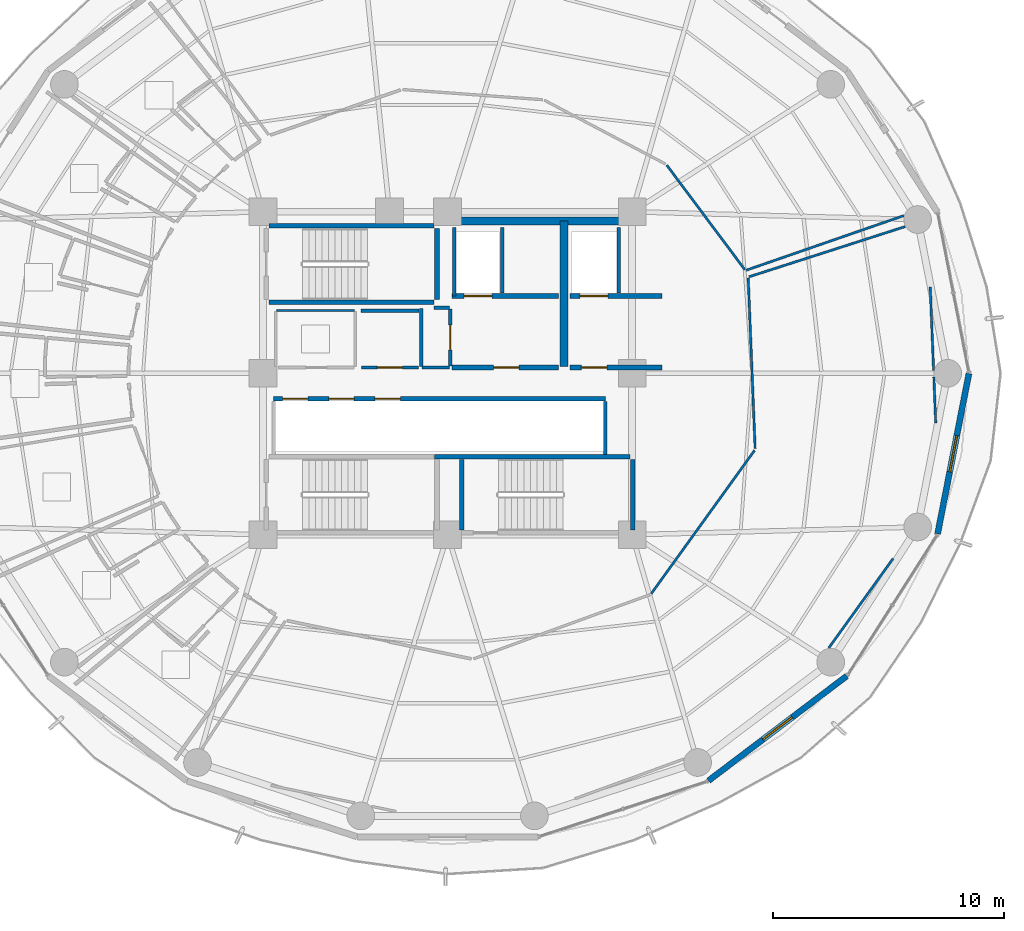
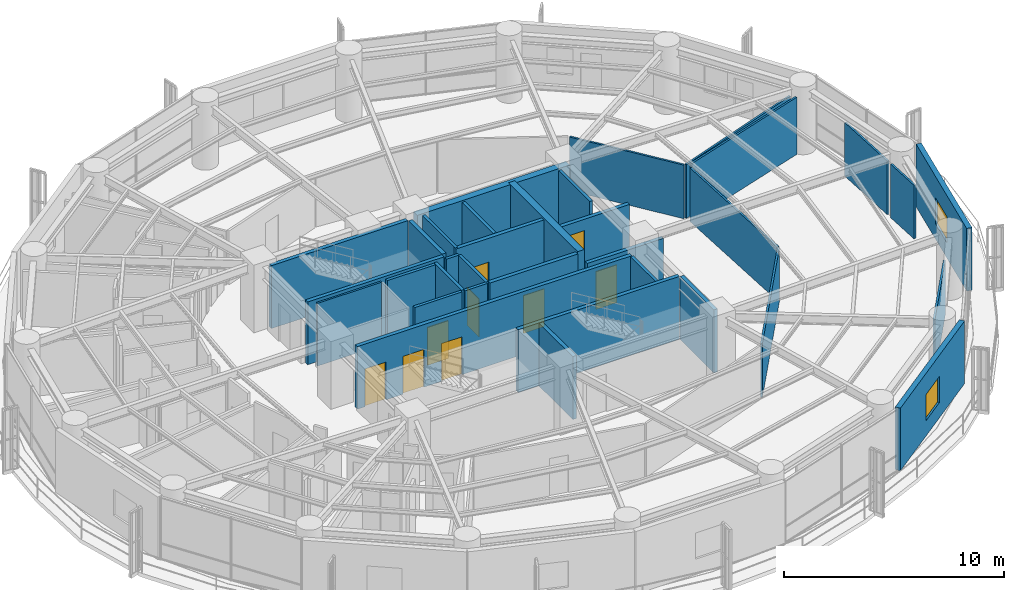
# One storey, part 23 of 28: 34 walls, 9 doors, 2 windows, 11 openings.
"""IFC4 building model written with IfcOpenShell, lengths in metres."""

from ifc_helpers import new_model, si_unit, direction, frame, frame_2d, origin, place, context, subcontext, project, spatial, rectangle, extrude, material, layer, layer_set, type_object, element, fill, save


model = new_model("IFC4")

# Units and contexts
model_context = context("Model", 3, precision=1e-05, world=origin(), true_north=direction((0.0, 1.0)))
body_context = subcontext(model_context, "Body", "Model", "MODEL_VIEW")
ifc_project = project(units=[si_unit("LENGTHUNIT", "METRE"), si_unit("AREAUNIT", "SQUARE_METRE"), si_unit("VOLUMEUNIT", "CUBIC_METRE"), si_unit("PLANEANGLEUNIT", "RADIAN"), si_unit("MASSUNIT", "GRAM", prefix="KILO")], contexts=[model_context])

# Site, building, storey
site_placement = place(None, origin())
site = spatial("IfcSite", under=ifc_project, at=site_placement, CompositionType="ELEMENT")
building_placement = place(site_placement, origin())
building = spatial("IfcBuilding", under=site, at=building_placement, Name="Kelanora Arch Commons", CompositionType="ELEMENT")
storey_placement = place(building_placement, frame((0.0, 0.0, 176.85009765625)))
storey = spatial("IfcBuildingStorey", under=building, at=storey_placement, Name="L45", CompositionType="ELEMENT", Elevation=176.85009765625)

# Walls
ifc_material_1 = material(Name="Autoclaved aerated concrete blockwork with fire plaster", Category="masonry")
ifc_layer_1 = layer(ifc_material_1, 0.14990234375)
ifc_layer_set_1 = layer_set([ifc_layer_1], Name="Autoclaved aerated concrete blockwork with fire plaster")
wall_type_1 = type_object("IfcWallType", Name="W-COMP-150", PredefinedType="PARTITIONING", material=ifc_layer_set_1)
wall_1_placement = place(storey_placement, frame((74.280029296875, 61.35009765625, 0.0), z_axis=(0.0, 0.0, 1.0), x_axis=(0.0, 1.0, 0.0)))
element("IfcWall", 1, at=wall_1_placement, inside=storey, type_object=wall_type_1, Name="Firefighting Lift 1 West Shaft Wall L45", PredefinedType="PARTITIONING", context=body_context, shape_type="SweptSolid", body=[
    extrude(rectangle(XDim=2.969970703125, YDim=0.14990234375, at=frame_2d((1.48486328125, 0.0))), origin(), (0.0, 0.0, 1.0), 3.47998046875),
])
for number, where, z_axis, x_axis, name in (
    (2, (76.360107421875, 61.47998046875, 0.0), (0.0, 0.0, 1.0), (0.0, 1.0, 0.0), "Firefighting Lift 1 East Shaft Wall L45"),
    (3, (81.419921875, 61.47998046875, 0.0), (0.0, 0.0, 1.0), (0.0, 1.0, 0.0), "Firefighting Lift 2 East Shaft Wall L45"),
):
    element("IfcWall", number, at=place(storey_placement, frame(where, z_axis=z_axis, x_axis=x_axis)), inside=storey, type_object=wall_type_1, Name=name, PredefinedType="PARTITIONING", context=body_context, shape_type="SweptSolid", body=[
        extrude(rectangle(XDim=2.840087890625, YDim=0.14990234375, at=frame_2d((1.419921875, 0.0))), origin(), (0.0, 0.0, 1.0), 3.47998046875),
    ])
wall_2_placement = place(storey_placement, frame((80.840087890625, 54.47998046875, 0.0), z_axis=(0.0, 0.0, 1.0), x_axis=(0.0, 1.0, 0.0)))
element("IfcWall", 4, at=wall_2_placement, inside=storey, type_object=wall_type_1, Name="South Lift Bank East Wall L45", PredefinedType="PARTITIONING", context=body_context, shape_type="SweptSolid", body=[
    extrude(rectangle(XDim=2.2900390625, YDim=0.14990234375, at=frame_2d((1.14501953125, 0.0))), origin(), (0.0, 0.0, 1.0), 3.47998046875),
])

# Wall, opening, door
wall_3_placement = place(storey_placement, frame((74.1201171875, 58.31005859375, 0.0), z_axis=(0.0, 0.0, 1.0), x_axis=(0.0, 1.0, 0.0)))
wall_3 = element("IfcWall", 5, at=wall_3_placement, inside=storey, type_object=wall_type_1, Name="Core Linen Supply Store L45 Entry Partition", PredefinedType="PARTITIONING", context=body_context, shape_type="SweptSolid", body=[
    extrude(rectangle(XDim=2.47998046875, YDim=0.14990234375, at=frame_2d((1.239990234375, 0.0))), origin(), (0.0, 0.0, 1.0), 3.47998046875),
])
opening_1_placement = place(wall_3_placement, frame((0.699951171875, 0.0, 0.0)))
opening_1 = element("IfcOpeningElement", 6, at=opening_1_placement, cuts=wall_3, Name="Opening D-PLT1", PredefinedType="OPENING", context=body_context, shape_type="SweptSolid", body=[
    extrude(rectangle(XDim=1.080078125, YDim=2.10009765625, at=frame_2d((0.5400390625, 1.050048828125))), frame((0.0, 0.0849609375, 0.0), z_axis=(0.0, -1.0, 0.0), x_axis=(1.0, 0.0, 0.0)), (0.0, 0.0, 1.0), 0.169921875),
])
ifc_material_2 = material(Name="Galvanised steel plant and riser fire door", Category="steel")
door_type_1 = type_object("IfcDoorType", Name="D-PLT-110", OperationType="NOTDEFINED", PredefinedType="DOOR", material=ifc_material_2)
door_1_placement = place(opening_1_placement, origin())
door_1 = element("IfcDoor", 7, at=door_1_placement, inside=storey, type_object=door_type_1, Name="Core Linen Supply Store L45 Door", OperationType="SINGLE_SWING_LEFT", OverallHeight=2.10009765625, OverallWidth=1.080078125, PredefinedType="DOOR", context=body_context, shape_type="SweptSolid", body=[
    extrude(rectangle(XDim=1.080078125, YDim=2.10009765625, at=frame_2d((0.5400390625, 1.050048828125))), frame((0.0, 0.02490234375, 0.0), z_axis=(0.0, -1.0, 0.0), x_axis=(1.0, 0.0, 0.0)), (0.0, 0.0, 1.0), 0.050048828125),
])
fill(opening_1, door_1)

wall_4_placement = place(storey_placement, frame((70.260009765625, 58.25, 0.0), z_axis=(0.0, 0.0, 1.0), x_axis=(1.0, 0.0, 0.0)))
wall_4 = element("IfcWall", 8, at=wall_4_placement, inside=storey, type_object=wall_type_1, Name="Reclaimed Core Linen Store L45 Entry Partition", PredefinedType="PARTITIONING", context=body_context, shape_type="SweptSolid", body=[
    extrude(rectangle(XDim=2.47998046875, YDim=0.14990234375, at=frame_2d((1.239990234375, 0.0))), origin(), (0.0, 0.0, 1.0), 3.47998046875),
])
opening_2_placement = place(wall_4_placement, frame((0.699951171875, 0.0, 0.0)))
opening_2 = element("IfcOpeningElement", 9, at=opening_2_placement, cuts=wall_4, Name="Opening D-PLT1", PredefinedType="OPENING", context=body_context, shape_type="SweptSolid", body=[
    extrude(rectangle(XDim=1.080078125, YDim=2.10009765625, at=frame_2d((0.5400390625, 1.050048828125))), frame((0.0, 0.0849609375, 0.0), z_axis=(0.0, -1.0, 0.0), x_axis=(1.0, 0.0, 0.0)), (0.0, 0.0, 1.0), 0.169921875),
])
door_2_placement = place(opening_2_placement, origin())
door_2 = element("IfcDoor", 10, at=door_2_placement, inside=storey, type_object=door_type_1, Name="Reclaimed Core Linen Store L45 Door", OperationType="SINGLE_SWING_LEFT", OverallHeight=2.10009765625, OverallWidth=1.080078125, PredefinedType="DOOR", context=body_context, shape_type="SweptSolid", body=[
    extrude(rectangle(XDim=1.080078125, YDim=2.10009765625, at=frame_2d((0.5400390625, 1.050048828125))), frame((0.0, 0.02490234375, 0.0), z_axis=(0.0, -1.0, 0.0), x_axis=(1.0, 0.0, 0.0)), (0.0, 0.0, 1.0), 0.050048828125),
])
fill(opening_2, door_2)

# Walls
wall_5_placement = place(storey_placement, frame((72.89990234375, 58.25, 0.0), z_axis=(0.0, 0.0, 1.0), x_axis=(1.0, 0.0, 0.0)))
element("IfcWall", 11, at=wall_5_placement, inside=storey, type_object=wall_type_1, Name="Core Linen Supply Store L45 Enclosure Partition 1", PredefinedType="PARTITIONING", context=body_context, shape_type="SweptSolid", body=[
    extrude(rectangle(XDim=1.18017578125, YDim=0.14990234375, at=frame_2d((0.590087890625, 0.0))), origin(), (0.0, 0.0, 1.0), 3.47998046875),
])
wall_6_placement = place(storey_placement, frame((74.080078125, 60.85009765625, 0.0), z_axis=(0.0, 0.0, 1.0), x_axis=(-1.0, 0.0, 0.0)))
element("IfcWall", 12, at=wall_6_placement, inside=storey, type_object=wall_type_1, Name="Core Linen Supply Store L45 Enclosure Partition 3", PredefinedType="PARTITIONING", context=body_context, shape_type="SweptSolid", body=[
    extrude(rectangle(XDim=0.66015625, YDim=0.14990234375, at=frame_2d((0.330078125, 0.0))), origin(), (0.0, 0.0, 1.0), 3.47998046875),
])
for number, where, z_axis, x_axis, name in (
    (13, (72.860107421875, 60.81005859375, 0.0), (0.0, 0.0, 1.0), (0.0, -1.0, 0.0), "Core Linen Supply Store L45 Enclosure Partition 4"),
    (14, (72.760009765625, 60.719970703125, 0.0), (0.0, 0.0, 1.0), (-1.0, 0.0, 0.0), "Reclaimed Core Linen Store L45 Enclosure Partition 3"),
):
    element("IfcWall", number, at=place(storey_placement, frame(where, z_axis=z_axis, x_axis=x_axis)), inside=storey, type_object=wall_type_1, Name=name, PredefinedType="PARTITIONING", context=body_context, shape_type="SweptSolid", body=[
        extrude(rectangle(XDim=2.52001953125, YDim=0.14990234375, at=frame_2d((1.260009765625, 0.0))), origin(), (0.0, 0.0, 1.0), 3.47998046875),
    ])
ifc_material_3 = material(Name="Concrete C50/60", Category="concrete")
ifc_layer_2 = layer(ifc_material_3, 0.35009765625)
ifc_layer_set_2 = layer_set([ifc_layer_2], Name="Concrete C50/60")
wall_type_2 = type_object("IfcWallType", Name="W-CORE-350", PredefinedType="SHEAR", material=ifc_layer_set_2)
wall_7_placement = place(storey_placement, frame((74.0, 64.60009765625, 0.0), z_axis=(0.0, 0.0, 1.0), x_axis=(1.0, 0.0, 0.0)))
element("IfcWall", 15, at=wall_7_placement, inside=storey, type_object=wall_type_2, Name="Core Shear Spine L45-CN-E", PredefinedType="SHEAR", context=body_context, shape_type="SweptSolid", body=[
    extrude(rectangle(XDim=8.0, YDim=0.35009765625, at=frame_2d((4.0, 0.0))), origin(), (0.0, 0.0, 1.0), 3.489990234375),
])
wall_8_placement = place(storey_placement, frame((79.050048828125, 58.300048828125, 0.0), z_axis=(0.0, 0.0, 1.0), x_axis=(0.0, 1.0, 0.0)))
element("IfcWall", 16, at=wall_8_placement, inside=storey, type_object=wall_type_2, Name="Core Shear Spine L45-CE-N", PredefinedType="SHEAR", context=body_context, shape_type="SweptSolid", body=[
    extrude(rectangle(XDim=6.300048828125, YDim=0.35009765625, at=frame_2d((3.14990234375, 0.0))), origin(), (0.0, 0.0, 1.0), 3.489990234375),
])

# Wall, opening, window
ifc_material_4 = material(Name="Precast concrete C40/50 with terracotta rainscreen", Category="masonry")
ifc_layer_3 = layer(ifc_material_4, 0.260009765625)
ifc_layer_set_3 = layer_set([ifc_layer_3], Name="Precast concrete C40/50 with terracotta rainscreen")
wall_type_3 = type_object("IfcWallType", Name="W-EXT-TC", PredefinedType="SOLIDWALL", material=ifc_layer_set_3)
wall_9_placement = place(storey_placement, frame((85.31201171875, 40.34228515625, 0.0), z_axis=(0.0, 0.0, 1.0), x_axis=(0.797163719609, 0.603763202042, 0.0)))
wall_9 = element("IfcWall", 17, at=wall_9_placement, inside=storey, type_object=wall_type_3, Name="Terracotta Exterior Wall L45-B15", PredefinedType="SOLIDWALL", context=body_context, shape_type="SweptSolid", body=[
    extrude(rectangle(XDim=7.51220703125, YDim=0.260009765625, at=frame_2d((3.756103515625, 0.0))), origin(), (0.0, 0.0, 1.0), 3.474853515625),
])
opening_3_placement = place(wall_9_placement, frame((2.9560546875, 0.0, 0.85009765625)))
opening_3 = element("IfcOpeningElement", 18, at=opening_3_placement, cuts=wall_9, Name="Opening WN-01", PredefinedType="OPENING", context=body_context, shape_type="SweptSolid", body=[
    extrude(rectangle(XDim=1.60009765625, YDim=1.449951171875, at=frame_2d((0.800048828125, 0.72509765625))), frame((0.0, 0.14013671875, 0.0), z_axis=(0.0, -1.0, 0.0), x_axis=(1.0, 0.0, 0.0)), (0.0, 0.0, 1.0), 0.280029296875),
])
ifc_material_5 = material(Name="Terracotta-anodised aluminium frame with operable low-E glazing", Category="masonry")
window_type = type_object("IfcWindowType", Name="WIN-CL-18", PartitioningType="DOUBLE_PANEL_VERTICAL", PredefinedType="WINDOW", material=ifc_material_5)
window_1_placement = place(opening_3_placement, origin())
window_1 = element("IfcWindow", 19, at=window_1_placement, inside=storey, type_object=window_type, Name="Co-Living Operable Window L45-B15", OverallHeight=1.449951171875, OverallWidth=1.60009765625, PartitioningType="SINGLE_PANEL", PredefinedType="WINDOW", context=body_context, shape_type="SweptSolid", body=[
    extrude(rectangle(XDim=1.60009765625, YDim=1.449951171875, at=frame_2d((0.800048828125, 0.72509765625))), frame((0.0, 0.030029296875, 0.0), z_axis=(0.0, -1.0, 0.0), x_axis=(1.0, 0.0, 0.0)), (0.0, 0.0, 1.0), 0.06005859375),
])
fill(opening_3, window_1)

wall_10_placement = place(storey_placement, frame((95.239990234375, 51.03759765625, 0.0), z_axis=(0.0, 0.0, 1.0), x_axis=(0.191716984769, 0.981450252306, 0.0)))
wall_10 = element("IfcWall", 20, at=wall_10_placement, inside=storey, type_object=wall_type_3, Name="Terracotta Exterior Wall L45-B17", PredefinedType="SOLIDWALL", context=body_context, shape_type="SweptSolid", body=[
    extrude(rectangle(XDim=7.0791015625, YDim=0.260009765625, at=frame_2d((3.53955078125, 0.0))), origin(), (0.0, 0.0, 1.0), 3.474853515625),
])
opening_4_placement = place(wall_10_placement, frame((2.739990234375, 0.0, 0.85009765625)))
opening_4 = element("IfcOpeningElement", 21, at=opening_4_placement, cuts=wall_10, Name="Opening WN-01", PredefinedType="OPENING", context=body_context, shape_type="SweptSolid", body=[
    extrude(rectangle(XDim=1.60009765625, YDim=1.449951171875, at=frame_2d((0.800048828125, 0.72509765625))), frame((0.0, 0.14013671875, 0.0), z_axis=(0.0, -1.0, 0.0), x_axis=(1.0, 0.0, 0.0)), (0.0, 0.0, 1.0), 0.280029296875),
])
window_2_placement = place(opening_4_placement, origin())
window_2 = element("IfcWindow", 22, at=window_2_placement, inside=storey, type_object=window_type, Name="Co-Living Operable Window L45-B17", OverallHeight=1.449951171875, OverallWidth=1.60009765625, PartitioningType="SINGLE_PANEL", PredefinedType="WINDOW", context=body_context, shape_type="SweptSolid", body=[
    extrude(rectangle(XDim=1.60009765625, YDim=1.449951171875, at=frame_2d((0.800048828125, 0.72509765625))), frame((0.0, 0.030029296875, 0.0), z_axis=(0.0, -1.0, 0.0), x_axis=(1.0, 0.0, 0.0)), (0.0, 0.0, 1.0), 0.06005859375),
])
fill(opening_4, window_2)

# Wall, opening, door
ifc_material_6 = material(Name="Concrete C40/50", Category="concrete")
ifc_layer_4 = layer(ifc_material_6, 0.199951171875)
ifc_layer_set_4 = layer_set([ifc_layer_4], Name="Concrete C40/50")
wall_type_4 = type_object("IfcWallType", Name="W-FFL-200", PredefinedType="SOLIDWALL", material=ifc_layer_set_4)
wall_11_placement = place(storey_placement, frame((74.199951171875, 61.35009765625, 0.0), z_axis=(0.0, 0.0, 1.0), x_axis=(1.0, 0.0, 0.0)))
wall_11 = element("IfcWall", 23, at=wall_11_placement, inside=storey, type_object=wall_type_4, Name="Firefighting Lift 1 Shaft Front L45", PredefinedType="SOLIDWALL", context=body_context, shape_type="SweptSolid", body=[
    extrude(rectangle(XDim=4.60009765625, YDim=0.199951171875, at=frame_2d((2.300048828125, 0.0))), origin(), (0.0, 0.0, 1.0), 3.47998046875),
])
opening_5_placement = place(wall_11_placement, frame((0.52001953125, 0.0, 0.0)))
opening_5 = element("IfcOpeningElement", 24, at=opening_5_placement, cuts=wall_11, Name="Opening LD-FF", PredefinedType="OPENING", context=body_context, shape_type="SweptSolid", body=[
    extrude(rectangle(XDim=1.199951171875, YDim=2.14990234375, at=frame_2d((0.60009765625, 1.074951171875))), frame((0.0, 0.10986328125, 0.0), z_axis=(0.0, -1.0, 0.0), x_axis=(1.0, 0.0, 0.0)), (0.0, 0.0, 1.0), 0.219970703125),
])
ifc_material_7 = material(Name="Fire-rated firefighters lift sliding landing door")
door_type_2 = type_object("IfcDoorType", Name="D-LIFT-FF", OperationType="NOTDEFINED", PredefinedType="DOOR", material=ifc_material_7)
door_3_placement = place(opening_5_placement, origin())
door_3 = element("IfcDoor", 25, at=door_3_placement, inside=storey, type_object=door_type_2, Name="Firefighting Lift LF-FF1 Landing Door L45", OperationType="DOUBLE_DOOR_SLIDING", OverallHeight=2.14990234375, OverallWidth=1.199951171875, PredefinedType="DOOR", context=body_context, shape_type="SweptSolid", body=[
    extrude(rectangle(XDim=1.199951171875, YDim=2.14990234375, at=frame_2d((0.60009765625, 1.074951171875))), frame((0.0, 0.02490234375, 0.0), z_axis=(0.0, -1.0, 0.0), x_axis=(1.0, 0.0, 0.0)), (0.0, 0.0, 1.0), 0.050048828125),
])
fill(opening_5, door_3)

wall_12_placement = place(storey_placement, frame((79.300048828125, 61.35009765625, 0.0), z_axis=(0.0, 0.0, 1.0), x_axis=(1.0, 0.0, 0.0)))
wall_12 = element("IfcWall", 26, at=wall_12_placement, inside=storey, type_object=wall_type_4, Name="Firefighting Lift 2 Shaft Front L45", PredefinedType="SOLIDWALL", context=body_context, shape_type="SweptSolid", body=[
    extrude(rectangle(XDim=4.0, YDim=0.199951171875, at=frame_2d((2.0, 0.0))), origin(), (0.0, 0.0, 1.0), 2.77490234375),
])
opening_6_placement = place(wall_12_placement, frame((0.449951171875, 0.0, 0.0)))
opening_6 = element("IfcOpeningElement", 27, at=opening_6_placement, cuts=wall_12, Name="Opening LD-FF", PredefinedType="OPENING", context=body_context, shape_type="SweptSolid", body=[
    extrude(rectangle(XDim=1.199951171875, YDim=2.14990234375, at=frame_2d((0.60009765625, 1.074951171875))), frame((0.0, 0.10986328125, 0.0), z_axis=(0.0, -1.0, 0.0), x_axis=(1.0, 0.0, 0.0)), (0.0, 0.0, 1.0), 0.219970703125),
])
door_4_placement = place(opening_6_placement, origin())
door_4 = element("IfcDoor", 28, at=door_4_placement, inside=storey, type_object=door_type_2, Name="Firefighting Lift LF-FF2 Landing Door L45", OperationType="DOUBLE_DOOR_SLIDING", OverallHeight=2.14990234375, OverallWidth=1.199951171875, PredefinedType="DOOR", context=body_context, shape_type="SweptSolid", body=[
    extrude(rectangle(XDim=1.199951171875, YDim=2.14990234375, at=frame_2d((0.60009765625, 1.074951171875))), frame((0.0, 0.02490234375, 0.0), z_axis=(0.0, -1.0, 0.0), x_axis=(1.0, 0.0, 0.0)), (0.0, 0.0, 1.0), 0.050048828125),
])
fill(opening_6, door_4)

wall_13_placement = place(storey_placement, frame((74.199951171875, 58.25, 0.0), z_axis=(0.0, 0.0, 1.0), x_axis=(1.0, 0.0, 0.0)))
wall_13 = element("IfcWall", 29, at=wall_13_placement, inside=storey, type_object=wall_type_4, Name="Firefighting Lobby 1 Enclosure Wall L45", PredefinedType="SOLIDWALL", context=body_context, shape_type="SweptSolid", body=[
    extrude(rectangle(XDim=4.60009765625, YDim=0.199951171875, at=frame_2d((2.300048828125, 0.0))), origin(), (0.0, 0.0, 1.0), 3.47998046875),
])
opening_7_placement = place(wall_13_placement, frame((1.800048828125, 0.0, 0.0)))
opening_7 = element("IfcOpeningElement", 30, at=opening_7_placement, cuts=wall_13, Name="Opening D-FFL1", PredefinedType="OPENING", context=body_context, shape_type="SweptSolid", body=[
    extrude(rectangle(XDim=1.10009765625, YDim=2.10009765625, at=frame_2d((0.550048828125, 1.050048828125))), frame((0.0, 0.10986328125, 0.0), z_axis=(0.0, -1.0, 0.0), x_axis=(1.0, 0.0, 0.0)), (0.0, 0.0, 1.0), 0.219970703125),
])
ifc_material_8 = material(Name="Smoke-sealed firefighting lobby fire door")
door_type_3 = type_object("IfcDoorType", Name="D-FFL-110", OperationType="NOTDEFINED", PredefinedType="DOOR", material=ifc_material_8)
door_5_placement = place(opening_7_placement, frame((1.10009765625, 0.0, 0.0), z_axis=(0.0, 0.0, 1.0), x_axis=(-1.0, 0.0, 0.0)))
door_5 = element("IfcDoor", 31, at=door_5_placement, inside=storey, type_object=door_type_3, Name="Firefighting Lobby 1 Door L45", OperationType="SINGLE_SWING_LEFT", OverallHeight=2.10009765625, OverallWidth=1.10009765625, PredefinedType="DOOR", context=body_context, shape_type="SweptSolid", body=[
    extrude(rectangle(XDim=1.10009765625, YDim=2.10009765625, at=frame_2d((0.550048828125, 1.050048828125))), frame((0.0, 0.02490234375, 0.0), z_axis=(0.0, -1.0, 0.0), x_axis=(1.0, 0.0, 0.0)), (0.0, 0.0, 1.0), 0.050048828125),
])
fill(opening_7, door_5)

wall_14_placement = place(storey_placement, frame((79.300048828125, 58.25, 0.0), z_axis=(0.0, 0.0, 1.0), x_axis=(1.0, 0.0, 0.0)))
wall_14 = element("IfcWall", 32, at=wall_14_placement, inside=storey, type_object=wall_type_4, Name="Firefighting Lobby 2 Enclosure Wall L45", PredefinedType="SOLIDWALL", context=body_context, shape_type="SweptSolid", body=[
    extrude(rectangle(XDim=4.0, YDim=0.199951171875, at=frame_2d((2.0, 0.0))), origin(), (0.0, 0.0, 1.0), 2.77490234375),
])
opening_8_placement = place(wall_14_placement, frame((0.5, 0.0, 0.0)))
opening_8 = element("IfcOpeningElement", 33, at=opening_8_placement, cuts=wall_14, Name="Opening D-FFL1", PredefinedType="OPENING", context=body_context, shape_type="SweptSolid", body=[
    extrude(rectangle(XDim=1.10009765625, YDim=2.10009765625, at=frame_2d((0.550048828125, 1.050048828125))), frame((0.0, 0.10986328125, 0.0), z_axis=(0.0, -1.0, 0.0), x_axis=(1.0, 0.0, 0.0)), (0.0, 0.0, 1.0), 0.219970703125),
])
door_6_placement = place(opening_8_placement, frame((1.10009765625, 0.0, 0.0), z_axis=(0.0, 0.0, 1.0), x_axis=(-1.0, 0.0, 0.0)))
door_6 = element("IfcDoor", 34, at=door_6_placement, inside=storey, type_object=door_type_3, Name="Firefighting Lobby 2 Door L45", OperationType="SINGLE_SWING_RIGHT", OverallHeight=2.10009765625, OverallWidth=1.10009765625, PredefinedType="DOOR", context=body_context, shape_type="SweptSolid", body=[
    extrude(rectangle(XDim=1.10009765625, YDim=2.10009765625, at=frame_2d((0.550048828125, 1.050048828125))), frame((0.0, 0.02490234375, 0.0), z_axis=(0.0, -1.0, 0.0), x_axis=(1.0, 0.0, 0.0)), (0.0, 0.0, 1.0), 0.050048828125),
])
fill(opening_8, door_6)

# Wall, openings, doors
wall_15_placement = place(storey_placement, frame((66.449951171875, 56.89990234375, 0.0), z_axis=(0.0, 0.0, 1.0), x_axis=(1.0, 0.0, 0.0)))
wall_15 = element("IfcWall", 35, at=wall_15_placement, inside=storey, type_object=wall_type_4, Name="Mid/High/Express Lift Shaft Front L45", PredefinedType="SOLIDWALL", context=body_context, shape_type="SweptSolid", body=[
    extrude(rectangle(XDim=14.400146484375, YDim=0.199951171875, at=frame_2d((7.2001953125, 0.0))), origin(), (0.0, 0.0, 1.0), 3.47998046875),
])
opening_9_placement = place(wall_15_placement, frame((0.39990234375, 0.0, 0.0)))
opening_9 = element("IfcOpeningElement", 36, at=opening_9_placement, cuts=wall_15, Name="Opening LD-01", PredefinedType="OPENING", context=body_context, shape_type="SweptSolid", body=[
    extrude(rectangle(XDim=1.10009765625, YDim=2.10009765625, at=frame_2d((0.550048828125, 1.050048828125))), frame((0.0, 0.10986328125, 0.0), z_axis=(0.0, -1.0, 0.0), x_axis=(1.0, 0.0, 0.0)), (0.0, 0.0, 1.0), 0.219970703125),
])
opening_10_placement = place(wall_15_placement, frame((2.39990234375, 0.0, 0.0)))
opening_10 = element("IfcOpeningElement", 37, at=opening_10_placement, cuts=wall_15, Name="Opening LD-01", PredefinedType="OPENING", context=body_context, shape_type="SweptSolid", body=[
    extrude(rectangle(XDim=1.10009765625, YDim=2.10009765625, at=frame_2d((0.550048828125, 1.050048828125))), frame((0.0, 0.10986328125, 0.0), z_axis=(0.0, -1.0, 0.0), x_axis=(1.0, 0.0, 0.0)), (0.0, 0.0, 1.0), 0.219970703125),
])
opening_11_placement = place(wall_15_placement, frame((4.39990234375, 0.0, 0.0)))
opening_11 = element("IfcOpeningElement", 38, at=opening_11_placement, cuts=wall_15, Name="Opening LD-01", PredefinedType="OPENING", context=body_context, shape_type="SweptSolid", body=[
    extrude(rectangle(XDim=1.10009765625, YDim=2.10009765625, at=frame_2d((0.550048828125, 1.050048828125))), frame((0.0, 0.10986328125, 0.0), z_axis=(0.0, -1.0, 0.0), x_axis=(1.0, 0.0, 0.0)), (0.0, 0.0, 1.0), 0.219970703125),
])
ifc_material_9 = material(Name="Stainless steel passenger lift sliding landing door", Category="steel")
door_type_4 = type_object("IfcDoorType", Name="D-LIFT-110", OperationType="NOTDEFINED", PredefinedType="DOOR", material=ifc_material_9)
door_7_placement = place(opening_9_placement, origin())
door_7 = element("IfcDoor", 39, at=door_7_placement, inside=storey, type_object=door_type_4, Name="Passenger Lift LF-P4 Landing Door L45", OperationType="DOUBLE_DOOR_SLIDING", OverallHeight=2.10009765625, OverallWidth=1.10009765625, PredefinedType="DOOR", context=body_context, shape_type="SweptSolid", body=[
    extrude(rectangle(XDim=1.10009765625, YDim=2.10009765625, at=frame_2d((0.550048828125, 1.050048828125))), frame((0.0, 0.02490234375, 0.0), z_axis=(0.0, -1.0, 0.0), x_axis=(1.0, 0.0, 0.0)), (0.0, 0.0, 1.0), 0.050048828125),
])
fill(opening_9, door_7)
door_8_placement = place(opening_10_placement, origin())
door_8 = element("IfcDoor", 40, at=door_8_placement, inside=storey, type_object=door_type_4, Name="Passenger Lift LF-P5 Landing Door L45", OperationType="DOUBLE_DOOR_SLIDING", OverallHeight=2.10009765625, OverallWidth=1.10009765625, PredefinedType="DOOR", context=body_context, shape_type="SweptSolid", body=[
    extrude(rectangle(XDim=1.10009765625, YDim=2.10009765625, at=frame_2d((0.550048828125, 1.050048828125))), frame((0.0, 0.02490234375, 0.0), z_axis=(0.0, -1.0, 0.0), x_axis=(1.0, 0.0, 0.0)), (0.0, 0.0, 1.0), 0.050048828125),
])
fill(opening_10, door_8)
door_9_placement = place(opening_11_placement, origin())
door_9 = element("IfcDoor", 41, at=door_9_placement, inside=storey, type_object=door_type_4, Name="Passenger Lift LF-P6 Landing Door L45", OperationType="DOUBLE_DOOR_SLIDING", OverallHeight=2.10009765625, OverallWidth=1.10009765625, PredefinedType="DOOR", context=body_context, shape_type="SweptSolid", body=[
    extrude(rectangle(XDim=1.10009765625, YDim=2.10009765625, at=frame_2d((0.550048828125, 1.050048828125))), frame((0.0, 0.02490234375, 0.0), z_axis=(0.0, -1.0, 0.0), x_axis=(1.0, 0.0, 0.0)), (0.0, 0.0, 1.0), 0.050048828125),
])
fill(opening_11, door_9)

# Walls
ifc_material_10 = material(Name="Lightweight fire-rated acoustic stud partition")
ifc_layer_5 = layer(ifc_material_10, 0.10009765625)
ifc_layer_set_5 = layer_set([ifc_layer_5], Name="Lightweight fire-rated acoustic stud partition")
wall_type_5 = type_object("IfcWallType", Name="W-PART-100", PredefinedType="PARTITIONING", material=ifc_layer_set_5)
wall_16_placement = place(storey_placement, frame((69.9599609375, 60.719970703125, 0.0), z_axis=(0.0, 0.0, 1.0), x_axis=(-1.0, 0.0, 0.0)))
element("IfcWall", 42, at=wall_16_placement, inside=storey, type_object=wall_type_5, Name="Reclaimed Core Quiet Phone Booths L45 Enclosure Partition 3", PredefinedType="PARTITIONING", context=body_context, shape_type="SweptSolid", body=[
    extrude(rectangle(XDim=3.369873046875, YDim=0.10009765625, at=frame_2d((1.68505859375, 0.0))), origin(), (0.0, 0.0, 1.0), 3.47998046875),
])
wall_17_placement = place(storey_placement, frame((82.829345703125, 48.448486328125, 0.0), z_axis=(0.0, 0.0, 1.0), x_axis=(0.584802550896, 0.811175675465, 0.0)))
element("IfcWall", 43, at=wall_17_placement, inside=storey, type_object=wall_type_5, Name="South-East Shared Study Commons L45 Enclosure Partition 3", PredefinedType="PARTITIONING", context=body_context, shape_type="SweptSolid", body=[
    extrude(rectangle(XDim=7.659423828125, YDim=0.10009765625, at=frame_2d((3.82958984375, 0.0))), origin(), (0.0, 0.0, 1.0), 2.974853515625),
])
wall_18_placement = place(storey_placement, frame((87.330322265625, 54.73388671875, 0.0), z_axis=(0.0, 0.0, 1.0), x_axis=(-0.040502816827, 0.999179424242, 0.0)))
element("IfcWall", 44, at=wall_18_placement, inside=storey, type_object=wall_type_5, Name="South-East Shared Study Commons L45 Enclosure Partition 4", PredefinedType="PARTITIONING", context=body_context, shape_type="SweptSolid", body=[
    extrude(rectangle(XDim=7.402099609375, YDim=0.10009765625, at=frame_2d((3.701171875, 0.0))), origin(), (0.0, 0.0, 1.0), 2.974853515625),
])
wall_19_placement = place(storey_placement, frame((87.067138671875, 62.18212890625, 0.0), z_axis=(0.0, 0.0, 1.0), x_axis=(0.951988492126, 0.306133812017, 0.0)))
element("IfcWall", 45, at=wall_19_placement, inside=storey, type_object=wall_type_5, Name="South-East Shared Study Commons L45 Enclosure Partition 5", PredefinedType="PARTITIONING", context=body_context, shape_type="SweptSolid", body=[
    extrude(rectangle(XDim=7.101806640625, YDim=0.10009765625, at=frame_2d((3.55078125, 0.0))), origin(), (0.0, 0.0, 1.0), 3.1748046875),
])
wall_20_placement = place(storey_placement, frame((94.919921875, 61.73486328125, 0.0), z_axis=(0.0, 0.0, 1.0), x_axis=(0.040396264776, -0.999183737754, 0.0)))
element("IfcWall", 46, at=wall_20_placement, inside=storey, type_object=wall_type_5, Name="South-East Shared Study Commons L45 Enclosure Partition 6", PredefinedType="PARTITIONING", context=body_context, shape_type="SweptSolid", body=[
    extrude(rectangle(XDim=3.6201171875, YDim=0.10009765625, at=frame_2d((1.81005859375, 0.0))), origin(), (0.0, 0.0, 1.0), 2.974853515625),
])
wall_21_placement = place(storey_placement, frame((95.07763671875, 57.8330078125, 0.0), z_axis=(0.0, 0.0, 1.0), x_axis=(0.040493982309, -0.99917978232, 0.0)))
element("IfcWall", 47, at=wall_21_placement, inside=storey, type_object=wall_type_5, Name="South-East Shared Study Commons L45 Enclosure Partition 6", PredefinedType="PARTITIONING", context=body_context, shape_type="SweptSolid", body=[
    extrude(rectangle(XDim=1.983642578125, YDim=0.10009765625, at=frame_2d((0.99169921875, 0.0))), origin(), (0.0, 0.0, 1.0), 2.974853515625),
])
wall_22_placement = place(storey_placement, frame((93.311279296875, 49.969482421875, 0.0), z_axis=(0.0, 0.0, 1.0), x_axis=(-0.584076822516, -0.811698383268, 0.0)))
element("IfcWall", 48, at=wall_22_placement, inside=storey, type_object=wall_type_5, Name="South-East Shared Study Commons L45 Enclosure Partition 7", PredefinedType="PARTITIONING", context=body_context, shape_type="SweptSolid", body=[
    extrude(rectangle(XDim=4.769775390625, YDim=0.10009765625, at=frame_2d((2.384765625, 0.0))), origin(), (0.0, 0.0, 1.0), 3.02490234375),
])
wall_23_placement = place(storey_placement, frame((86.88720703125, 62.487060546875, 0.0), z_axis=(0.0, 0.0, 1.0), x_axis=(-0.598418459338, 0.801183716462, 0.0)))
element("IfcWall", 49, at=wall_23_placement, inside=storey, type_object=wall_type_5, Name="North-East Shared Cluster Kitchen L45 Enclosure Partition 1", PredefinedType="PARTITIONING", context=body_context, shape_type="SweptSolid", body=[
    extrude(rectangle(XDim=5.66015625, YDim=0.10009765625, at=frame_2d((2.830078125, 0.0))), origin(), (0.0, 0.0, 1.0), 2.974853515625),
])
wall_24_placement = place(storey_placement, frame((93.77099609375, 64.832275390625, 0.0), z_axis=(0.0, 0.0, 1.0), x_axis=(-0.944870237137, -0.327445010608, 0.0)))
element("IfcWall", 50, at=wall_24_placement, inside=storey, type_object=wall_type_5, Name="North-East Shared Cluster Kitchen L45 Enclosure Partition 10", PredefinedType="PARTITIONING", context=body_context, shape_type="SweptSolid", body=[
    extrude(rectangle(XDim=7.22021484375, YDim=0.10009765625, at=frame_2d((3.610107421875, 0.0))), origin(), (0.0, 0.0, 1.0), 2.974853515625),
])
ifc_layer_6 = layer(ifc_material_6, 0.199951171875)
ifc_layer_set_6 = layer_set([ifc_layer_6], Name="Concrete C40/50")
wall_type_6 = type_object("IfcWallType", Name="W-STAIR-200", PredefinedType="SHEAR", material=ifc_layer_set_6)
wall_25_placement = place(storey_placement, frame((66.260009765625, 61.080078125, 0.0), z_axis=(0.0, 0.0, 1.0), x_axis=(1.0, 0.0, 0.0)))
element("IfcWall", 51, at=wall_25_placement, inside=storey, type_object=wall_type_6, Name="Stair ST-T1 Shaft Wall S L45", PredefinedType="SHEAR", context=body_context, shape_type="SweptSolid", body=[
    extrude(rectangle(XDim=7.159912109375, YDim=0.199951171875, at=frame_2d((3.580078125, 0.0))), origin(), (0.0, 0.0, 1.0), 3.489990234375),
])
wall_26_placement = place(storey_placement, frame((73.5400390625, 61.199951171875, 0.0), z_axis=(0.0, 0.0, 1.0), x_axis=(0.0, 1.0, 0.0)))
element("IfcWall", 52, at=wall_26_placement, inside=storey, type_object=wall_type_6, Name="Stair ST-T1 Shaft Wall E L45", PredefinedType="SHEAR", context=body_context, shape_type="SweptSolid", body=[
    extrude(rectangle(XDim=3.070068359375, YDim=0.199951171875, at=frame_2d((1.53515625, 0.0))), origin(), (0.0, 0.0, 1.0), 3.489990234375),
])
wall_27_placement = place(storey_placement, frame((73.419921875, 64.389892578125, 0.0), z_axis=(0.0, 0.0, 1.0), x_axis=(-1.0, 0.0, 0.0)))
element("IfcWall", 53, at=wall_27_placement, inside=storey, type_object=wall_type_6, Name="Stair ST-T1 Shaft Wall N L45", PredefinedType="SHEAR", context=body_context, shape_type="SweptSolid", body=[
    extrude(rectangle(XDim=7.159912109375, YDim=0.199951171875, at=frame_2d((3.580078125, 0.0))), origin(), (0.0, 0.0, 1.0), 3.489990234375),
])
wall_28_placement = place(storey_placement, frame((82.02001953125, 51.199951171875, 0.0), z_axis=(0.0, 0.0, 1.0), x_axis=(0.0, 1.0, 0.0)))
element("IfcWall", 54, at=wall_28_placement, inside=storey, type_object=wall_type_6, Name="Stair ST-T2 Shaft Wall E L45", PredefinedType="SHEAR", context=body_context, shape_type="SweptSolid", body=[
    extrude(rectangle(XDim=3.070068359375, YDim=0.199951171875, at=frame_2d((1.53515625, 0.0))), origin(), (0.0, 0.0, 1.0), 3.489990234375),
])
wall_29_placement = place(storey_placement, frame((81.89990234375, 54.389892578125, 0.0), z_axis=(0.0, 0.0, 1.0), x_axis=(-1.0, 0.0, 0.0)))
element("IfcWall", 55, at=wall_29_placement, inside=storey, type_object=wall_type_6, Name="Stair ST-T2 Shaft Wall N L45", PredefinedType="SHEAR", context=body_context, shape_type="SweptSolid", body=[
    extrude(rectangle(XDim=8.4599609375, YDim=0.199951171875, at=frame_2d((4.22998046875, 0.0))), origin(), (0.0, 0.0, 1.0), 3.489990234375),
])
wall_30_placement = place(storey_placement, frame((74.6201171875, 54.27001953125, 0.0), z_axis=(0.0, 0.0, 1.0), x_axis=(0.0, -1.0, 0.0)))
element("IfcWall", 56, at=wall_30_placement, inside=storey, type_object=wall_type_6, Name="Stair ST-T2 Shaft Wall W L45", PredefinedType="SHEAR", context=body_context, shape_type="SweptSolid", body=[
    extrude(rectangle(XDim=3.070068359375, YDim=0.199951171875, at=frame_2d((1.53515625, 0.0))), origin(), (0.0, 0.0, 1.0), 3.489990234375),
])

save(model, "model.ifc")
